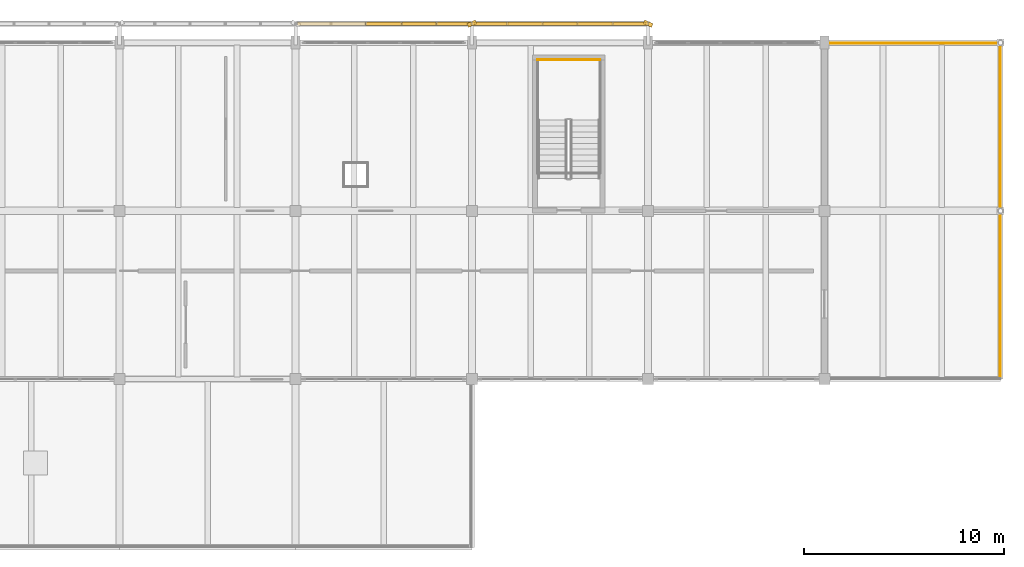
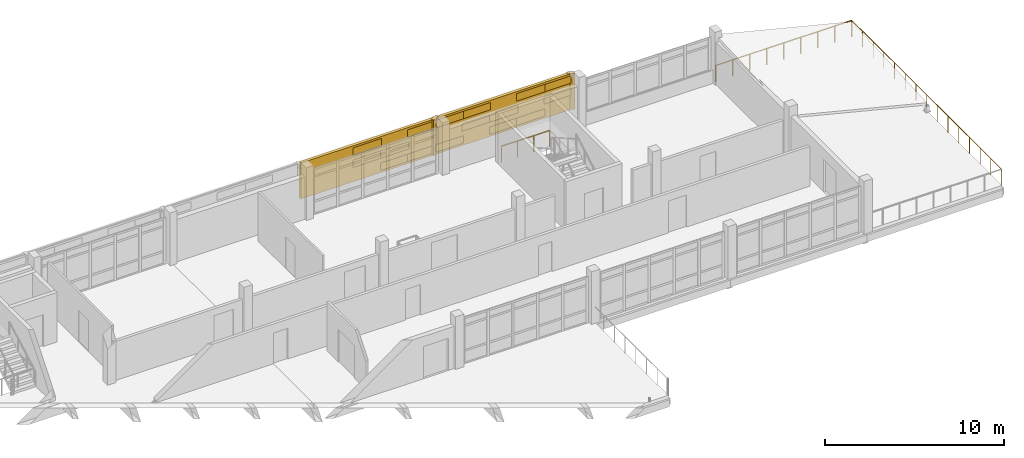
# One storey, part 30 of 30: 18 coverings, 3 railings, 2 shading devices.
"""IFC4 building model written with IfcOpenShell, lengths in metres."""

from ifc_helpers import new_model, si_unit, direction, frame, origin, origin_2d, place, context, subcontext, project, spatial, rectangle, circle, extrude, material, layer, layer_set, type_object, element, save


model = new_model("IFC4")

# Units and contexts
model_context = context("Model", 3, precision=1e-05, world=origin(), true_north=direction((0.0, 1.0)))
body_context = subcontext(model_context, "Body", "Model", "MODEL_VIEW")
ifc_project = project(units=[si_unit("LENGTHUNIT", "METRE"), si_unit("AREAUNIT", "SQUARE_METRE"), si_unit("VOLUMEUNIT", "CUBIC_METRE"), si_unit("PLANEANGLEUNIT", "RADIAN"), si_unit("MASSUNIT", "GRAM", prefix="KILO")], contexts=[model_context])

# Site, building, storey
site_placement = place(None, origin())
site = spatial("IfcSite", under=ifc_project, at=site_placement, CompositionType="ELEMENT")
building_placement = place(site_placement, origin())
building = spatial("IfcBuilding", under=site, at=building_placement, Name="Cinderway Yard Community Centre", CompositionType="ELEMENT")
storey_placement = place(building_placement, frame((0.0, 0.0, 16.5)))
storey = spatial("IfcBuildingStorey", under=building, at=storey_placement, Name="L04", CompositionType="ELEMENT", Elevation=16.5)

# Coverings
ifc_material_1 = material(Name="Brick Masonry", Category="masonry")
ifc_layer = layer(ifc_material_1, 0.18994140625, Name="Brick Masonry")
ifc_layer_set = layer_set([ifc_layer], Name="Brick Masonry")
covering_type = type_object("IfcCoveringType", Name="ENV-COV-BRK-SCREEN", PredefinedType="CLADDING", material=ifc_layer_set)
for number, where, z_axis, x_axis, name in (
    (1, (110.39990234375, 116.14990234375, 0.64990234375), (0.0, 0.0, 1.0), (0.913545457643, 0.406736643076, 0.0), "Deconstructivist folded brick fin 0362"),
    (2, (119.199951171875, 116.14990234375, 0.64990234375), (0.0, 0.0, 1.0), (0.913545457643, -0.406736643076, 0.0), "Deconstructivist folded brick fin 0363"),
):
    element("IfcCovering", number, at=place(storey_placement, frame(where, z_axis=z_axis, x_axis=x_axis)), inside=storey, type_object=covering_type, Name=name, PredefinedType="CLADDING", context=body_context, shape_type="SweptSolid", body=[
        extrude(rectangle(XDim=0.4599609375, YDim=0.199951171875, at=origin_2d()), origin(), (0.0, 0.0, 1.0), 2.449951171875),
    ])
for number, where, z_axis, x_axis, name in (
    (3, (107.760009765625, 116.14990234375, 0.7900390625), (0.0, 0.0, 1.0), (1.0, 0.0, 0.0), "Open-bond perforated brick screen course 00416"),
    (4, (109.52001953125, 116.14990234375, 0.7900390625), (0.0, 0.0, 1.0), (1.0, 0.0, 0.0), "Open-bond perforated brick screen course 00417"),
    (5, (106.0, 116.14990234375, 1.62109375), (0.0, 0.0, 1.0), (1.0, 0.0, 0.0), "Open-bond perforated brick screen course 00419"),
    (6, (107.760009765625, 116.14990234375, 1.62109375), (0.0, 0.0, 1.0), (1.0, 0.0, 0.0), "Open-bond perforated brick screen course 00420"),
    (7, (106.0, 116.14990234375, 2.4521484375), (0.0, 0.0, 1.0), (1.0, 0.0, 0.0), "Open-bond perforated brick screen course 00422"),
    (8, (109.52001953125, 116.14990234375, 2.4521484375), (0.0, 0.0, 1.0), (1.0, 0.0, 0.0), "Open-bond perforated brick screen course 00423"),
    (9, (111.280029296875, 116.14990234375, 0.7900390625), (0.0, 0.0, 1.0), (1.0, 0.0, 0.0), "Open-bond perforated brick screen course 00424"),
    (10, (114.800048828125, 116.14990234375, 0.7900390625), (0.0, 0.0, 1.0), (1.0, 0.0, 0.0), "Open-bond perforated brick screen course 00425"),
    (11, (116.56005859375, 116.14990234375, 0.7900390625), (0.0, 0.0, 1.0), (1.0, 0.0, 0.0), "Open-bond perforated brick screen course 00426"),
    (12, (113.0400390625, 116.14990234375, 1.62109375), (0.0, 0.0, 1.0), (1.0, 0.0, 0.0), "Open-bond perforated brick screen course 00427"),
    (13, (114.800048828125, 116.14990234375, 1.62109375), (0.0, 0.0, 1.0), (1.0, 0.0, 0.0), "Open-bond perforated brick screen course 00428"),
    (14, (118.320068359375, 116.14990234375, 1.62109375), (0.0, 0.0, 1.0), (1.0, 0.0, 0.0), "Open-bond perforated brick screen course 00429"),
    (15, (111.280029296875, 116.14990234375, 2.4521484375), (0.0, 0.0, 1.0), (1.0, 0.0, 0.0), "Open-bond perforated brick screen course 00430"),
    (16, (113.0400390625, 116.14990234375, 2.4521484375), (0.0, 0.0, 1.0), (1.0, 0.0, 0.0), "Open-bond perforated brick screen course 00431"),
    (17, (116.56005859375, 116.14990234375, 2.4521484375), (0.0, 0.0, 1.0), (1.0, 0.0, 0.0), "Open-bond perforated brick screen course 00432"),
    (18, (118.320068359375, 116.14990234375, 2.4521484375), (0.0, 0.0, 1.0), (1.0, 0.0, 0.0), "Open-bond perforated brick screen course 00433"),
):
    element("IfcCovering", number, at=place(storey_placement, frame(where, z_axis=z_axis, x_axis=x_axis)), inside=storey, type_object=covering_type, Name=name, PredefinedType="CLADDING", context=body_context, shape_type="SweptSolid", body=[
        extrude(rectangle(XDim=1.840087890625, YDim=0.18994140625, at=origin_2d()), origin(), (0.0, 0.0, 1.0), 0.508056640625),
    ])

# Shading devices
shading_device_type = type_object("IfcShadingDeviceType", Name="ENV-SHD-BRICKSCREEN-A", PredefinedType="USERDEFINED", material=ifc_material_1)
for number, where, z_axis, x_axis, name in (
    (19, (106.0, 116.14990234375, 0.64990234375), (0.0, 0.0, 1.0), (1.0, 0.0, 0.0), "Street Perforated Brick Screen 0308"),
    (20, (114.800048828125, 116.14990234375, 0.64990234375), (0.0, 0.0, 1.0), (1.0, 0.0, 0.0), "Street Perforated Brick Screen 0316"),
):
    element("IfcShadingDevice", number, at=place(storey_placement, frame(where, z_axis=z_axis, x_axis=x_axis)), inside=storey, type_object=shading_device_type, Name=name, ObjectType="PERFORATED BRICK SCREEN", PredefinedType="USERDEFINED", context=body_context, shape_type="SweptSolid", body=[
        extrude(rectangle(XDim=8.60009765625, YDim=0.18994140625, at=origin_2d()), origin(), (0.0, 0.0, 1.0), 2.449951171875),
    ])

# Railings
ifc_material_2 = material(Name="Painted Galvanised Steel", Category="steel")
railing_type = type_object("IfcRailingType", Name="INT-RAL-GRD112", PredefinedType="GUARDRAIL", material=ifc_material_2)
railing_1_placement = place(storey_placement, frame((136.780029296875, 98.419921875, 0.0)))
element("IfcRailing", 21, at=railing_1_placement, inside=storey, type_object=railing_type, Name="V4 L04 East Setback Terrace Guard 043", PredefinedType="GUARDRAIL", context=body_context, shape_type="SweptSolid", body=[
    extrude(circle(Radius=0.02392578125, at=origin_2d()), frame((0.0, 0.0, 1.09619140625), z_axis=(0.0, 1.0, 0.0), x_axis=(-1.0, 0.0, 0.0)), (0.0, 0.0, 1.0), 16.760009765625),
    extrude(circle(Radius=0.02099609375, at=origin_2d()), origin(), (0.0, 0.0, 1.0), 1.072021484375),
    extrude(circle(Radius=0.02099609375, at=origin_2d()), frame((0.0, 1.197265625, 0.0)), (0.0, 0.0, 1.0), 1.072021484375),
    extrude(circle(Radius=0.02099609375, at=origin_2d()), frame((0.0, 2.394287109375, 0.0)), (0.0, 0.0, 1.0), 1.072021484375),
    extrude(circle(Radius=0.02099609375, at=origin_2d()), frame((0.0, 3.59130859375, 0.0)), (0.0, 0.0, 1.0), 1.072021484375),
    extrude(circle(Radius=0.02099609375, at=origin_2d()), frame((0.0, 4.78857421875, 0.0)), (0.0, 0.0, 1.0), 1.072021484375),
    extrude(circle(Radius=0.02099609375, at=origin_2d()), frame((0.0, 5.98583984375, 0.0)), (0.0, 0.0, 1.0), 1.072021484375),
    extrude(circle(Radius=0.02099609375, at=origin_2d()), frame((0.0, 7.182861328125, 0.0)), (0.0, 0.0, 1.0), 1.072021484375),
    extrude(circle(Radius=0.02099609375, at=origin_2d()), frame((0.0, 8.3798828125, 0.0)), (0.0, 0.0, 1.0), 1.072021484375),
    extrude(circle(Radius=0.02099609375, at=origin_2d()), frame((0.0, 9.5771484375, 0.0)), (0.0, 0.0, 1.0), 1.072021484375),
    extrude(circle(Radius=0.02099609375, at=origin_2d()), frame((0.0, 10.7744140625, 0.0)), (0.0, 0.0, 1.0), 1.072021484375),
    extrude(circle(Radius=0.02099609375, at=origin_2d()), frame((0.0, 11.971435546875, 0.0)), (0.0, 0.0, 1.0), 1.072021484375),
    extrude(circle(Radius=0.02099609375, at=origin_2d()), frame((0.0, 13.16845703125, 0.0)), (0.0, 0.0, 1.0), 1.072021484375),
    extrude(circle(Radius=0.02099609375, at=origin_2d()), frame((0.0, 14.36572265625, 0.0)), (0.0, 0.0, 1.0), 1.072021484375),
    extrude(circle(Radius=0.02099609375, at=origin_2d()), frame((0.0, 15.56298828125, 0.0)), (0.0, 0.0, 1.0), 1.072021484375),
    extrude(circle(Radius=0.02099609375, at=origin_2d()), frame((0.0, 16.760009765625, 0.0)), (0.0, 0.0, 1.0), 1.072021484375),
])
railing_2_placement = place(storey_placement, frame((136.780029296875, 115.179931640625, 0.0)))
element("IfcRailing", 22, at=railing_2_placement, inside=storey, type_object=railing_type, Name="V4 L04 East Setback Terrace Guard 044", PredefinedType="GUARDRAIL", context=body_context, shape_type="SweptSolid", body=[
    extrude(circle(Radius=0.02392578125, at=origin_2d()), frame((0.0, 0.0, 1.09619140625), z_axis=(-1.0, 0.0, 0.0), x_axis=(0.0, -1.0, 0.0)), (0.0, 0.0, 1.0), 8.780029296875),
    extrude(circle(Radius=0.02099609375, at=origin_2d()), origin(), (0.0, 0.0, 1.0), 1.072021484375),
    extrude(circle(Radius=0.02099609375, at=origin_2d()), frame((-1.097412109375, 0.0, 0.0)), (0.0, 0.0, 1.0), 1.072021484375),
    extrude(circle(Radius=0.02099609375, at=origin_2d()), frame((-2.195068359375, 0.0, 0.0)), (0.0, 0.0, 1.0), 1.072021484375),
    extrude(circle(Radius=0.02099609375, at=origin_2d()), frame((-3.29248046875, 0.0, 0.0)), (0.0, 0.0, 1.0), 1.072021484375),
    extrude(circle(Radius=0.02099609375, at=origin_2d()), frame((-4.39013671875, 0.0, 0.0)), (0.0, 0.0, 1.0), 1.072021484375),
    extrude(circle(Radius=0.02099609375, at=origin_2d()), frame((-5.487548828125, 0.0, 0.0)), (0.0, 0.0, 1.0), 1.072021484375),
    extrude(circle(Radius=0.02099609375, at=origin_2d()), frame((-6.5849609375, 0.0, 0.0)), (0.0, 0.0, 1.0), 1.072021484375),
    extrude(circle(Radius=0.02099609375, at=origin_2d()), frame((-7.6826171875, 0.0, 0.0)), (0.0, 0.0, 1.0), 1.072021484375),
    extrude(circle(Radius=0.02099609375, at=origin_2d()), frame((-8.780029296875, 0.0, 0.0)), (0.0, 0.0, 1.0), 1.072021484375),
])
railing_3_placement = place(storey_placement, frame((116.800048828125, 114.35009765625, 0.0)))
element("IfcRailing", 23, at=railing_3_placement, inside=storey, type_object=railing_type, Name="Service void perimeter guard L04 200", PredefinedType="GUARDRAIL", context=body_context, shape_type="SweptSolid", body=[
    extrude(circle(Radius=0.02392578125, at=origin_2d()), frame((0.0, 0.0, 1.09619140625), z_axis=(-1.0, 0.0, 0.0), x_axis=(0.0, -1.0, 0.0)), (0.0, 0.0, 1.0), 3.1201171875),
    extrude(circle(Radius=0.02099609375, at=origin_2d()), origin(), (0.0, 0.0, 1.0), 1.072021484375),
    extrude(circle(Radius=0.02099609375, at=origin_2d()), frame((-1.0400390625, 0.0, 0.0)), (0.0, 0.0, 1.0), 1.072021484375),
    extrude(circle(Radius=0.02099609375, at=origin_2d()), frame((-2.080078125, 0.0, 0.0)), (0.0, 0.0, 1.0), 1.072021484375),
    extrude(circle(Radius=0.02099609375, at=origin_2d()), frame((-3.1201171875, 0.0, 0.0)), (0.0, 0.0, 1.0), 1.072021484375),
])

save(model, "model.ifc")
